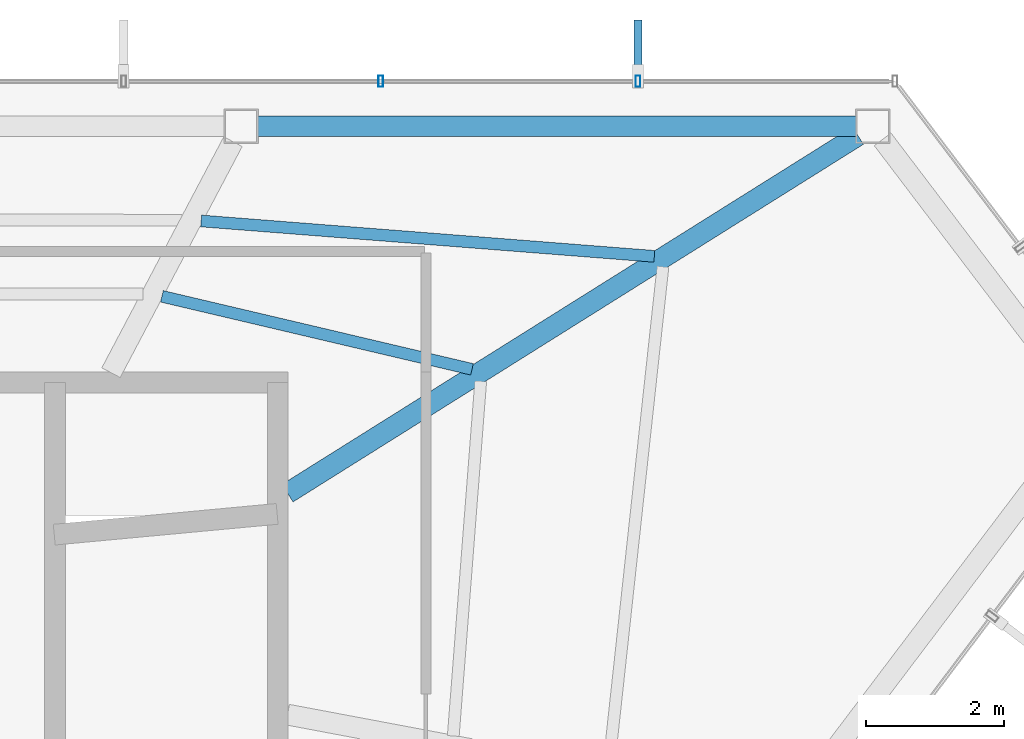
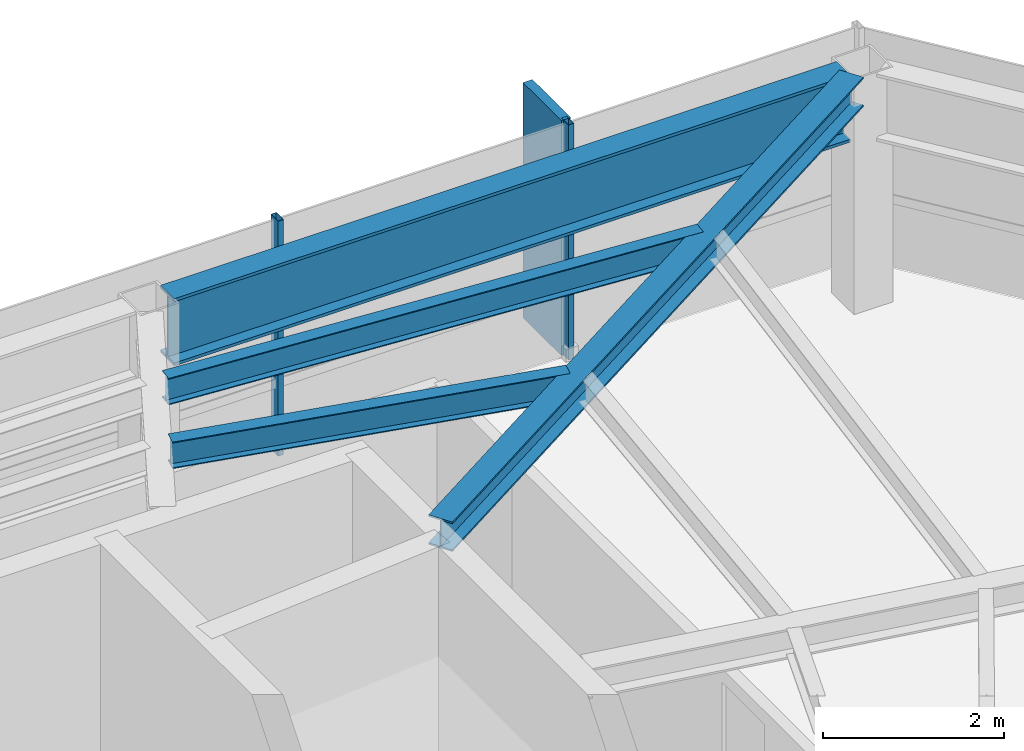
# One storey, part 18 of 24: 4 beams, 3 members, 1 element without a shape of its own.
"""IFC4 building model written with IfcOpenShell, lengths in metres."""

import ifcopenshell
import ifcopenshell.guid

model = None  # the IFC model being written
_history = None  # IfcOwnerHistory: only IFC2X3 demands one
_inside = {}  # id of a spatial element -> (the spatial element, [elements in it])
_under = {}  # id of a project, library or spatial element -> (it, [spatial elements below it])
_declared = {}  # id of a project -> (the project, [libraries it declares])
_typed = {}  # id of a type object -> (the type object, [elements of that type])
_made_of = {}  # id of a material, layer set ... -> (it, [elements and type objects made of it])


def new_model(schema):
    """Start an empty IFC model of exactly this schema.

    Asked for "IFC4X3", IfcOpenShell would pick the latest addendum, in which some entities
    have other attributes; the version numbers below select the first issue.
    IFC2X3 requires an IfcOwnerHistory on every rooted entity: one is made here for all.
    """
    global model, _history
    if schema == "IFC4X3":
        model = ifcopenshell.file(schema_version=(4, 3, 0, 0))
    else:
        model = ifcopenshell.file(schema=schema)
    _inside.clear()
    _under.clear()
    _declared.clear()
    _typed.clear()
    _made_of.clear()
    _history = None
    if model.schema == "IFC2X3":
        org = make("IfcOrganization", Name="unknown")
        user = make(
            "IfcPersonAndOrganization",
            ThePerson=make("IfcPerson", FamilyName="unknown"),
            TheOrganization=org,
        )
        app = make(
            "IfcApplication",
            ApplicationDeveloper=org,
            Version="unknown",
            ApplicationFullName="unknown",
            ApplicationIdentifier="unknown",
        )
        _history = make(
            "IfcOwnerHistory",
            OwningUser=user,
            OwningApplication=app,
            ChangeAction="ADDED",
            CreationDate=0,
        )
    return model


def make(cls, **values):
    """One entity of the class cls with the attributes given. An attribute that is None is left unset."""
    return model.create_entity(
        cls, **{name: value for name, value in values.items() if value is not None}
    )


def rooted(cls, **values):
    """An entity with a GlobalId (a new one), such as an element, a storey or a relation."""
    return make(cls, GlobalId=ifcopenshell.guid.new(), OwnerHistory=_history, **values)


def si_unit(unit_type, name, prefix=None):
    """IfcSIUnit, for example si_unit("LENGTHUNIT", "METRE", prefix="MILLI")."""
    return make("IfcSIUnit", UnitType=unit_type, Prefix=prefix, Name=name)


def assignment(units):
    """IfcUnitAssignment: the units of a project."""
    return None if units is None else make("IfcUnitAssignment", Units=units)


def point(xyz):
    """IfcCartesianPoint."""
    return None if xyz is None else make("IfcCartesianPoint", Coordinates=xyz)


def direction(xyz):
    """IfcDirection."""
    return None if xyz is None else make("IfcDirection", DirectionRatios=xyz)


def frame(location, z_axis=None, x_axis=None):
    """IfcAxis2Placement3D, a coordinate frame: its origin and axes. An axis left out is left unset."""
    return make(
        "IfcAxis2Placement3D",
        Location=point(location),
        Axis=direction(z_axis),
        RefDirection=direction(x_axis),
    )


def frame_2d(location, x_axis=None):
    """IfcAxis2Placement2D, a coordinate frame in the plane: its origin and x axis."""
    return make(
        "IfcAxis2Placement2D", Location=point(location), RefDirection=direction(x_axis)
    )


def origin():
    """The frame at (0, 0, 0) with its axes left unset."""
    return frame((0.0, 0.0, 0.0))


def origin_2d():
    """The frame at (0, 0) in the plane with its x axis left unset."""
    return frame_2d((0.0, 0.0))


def place(relative_to, where):
    """IfcLocalPlacement: puts the frame where relative to a parent placement (None: the world)."""
    return make(
        "IfcLocalPlacement", PlacementRelTo=relative_to, RelativePlacement=where
    )


def context(
    kind, dimensions, precision=None, world=None, true_north=None, identifier=None
):
    """IfcGeometricRepresentationContext, for example the 3D "Model" context."""
    return make(
        "IfcGeometricRepresentationContext",
        ContextIdentifier=identifier,
        ContextType=kind,
        CoordinateSpaceDimension=dimensions,
        Precision=precision,
        WorldCoordinateSystem=world,
        TrueNorth=true_north,
    )


def subcontext(parent, identifier, kind, view, scale=None):
    """IfcGeometricRepresentationSubContext, for example "Body" below "Model"."""
    return make(
        "IfcGeometricRepresentationSubContext",
        ContextIdentifier=identifier,
        ContextType=kind,
        ParentContext=parent,
        TargetScale=scale,
        TargetView=view,
    )


def project(units=None, contexts=None):
    """IfcProject with its units and contexts."""
    return rooted(
        "IfcProject",
        Name="project",
        RepresentationContexts=contexts,
        UnitsInContext=assignment(units),
    )


def spatial(cls, under=None, at=None, **own):
    """A site, building, storey or space (cls), placed at a placement, below another one or the project."""
    s = rooted(cls, ObjectPlacement=at, **own)
    if under is not None:
        _under.setdefault(under.id(), (under, []))[1].append(s)
    return s


def profile(cls, at=None, kind="AREA", **sizes):
    """A parametric profile (cls). Its sizes go by their IFC names, for example OverallWidth=200.0."""
    return make(cls, ProfileType=kind, Position=at, **sizes)


def rectangle(**sizes):
    """IfcRectangleProfileDef."""
    return profile("IfcRectangleProfileDef", **sizes)


def hollow_rectangle(**sizes):
    """IfcRectangleHollowProfileDef."""
    return profile("IfcRectangleHollowProfileDef", **sizes)


def i_section(**sizes):
    """IfcIShapeProfileDef."""
    return profile("IfcIShapeProfileDef", **sizes)


def extrude(swept, where, along, depth):
    """IfcExtrudedAreaSolid: the profile swept, set in the frame where, extruded along a direction by depth."""
    return make(
        "IfcExtrudedAreaSolid",
        SweptArea=swept,
        Position=where,
        ExtrudedDirection=direction(along),
        Depth=depth,
    )


def shape(context_of_items, identifier, shape_type, items):
    """IfcShapeRepresentation: the items that make up one representation, for example the "Body"."""
    return make(
        "IfcShapeRepresentation",
        ContextOfItems=context_of_items,
        RepresentationIdentifier=identifier,
        RepresentationType=shape_type,
        Items=items,
    )


def material(Name=None, Category=None):
    """IfcMaterial."""
    return make("IfcMaterial", Name=Name, Category=Category)


def layer(
    of_material, thickness, ventilated=None, Name=None, Category=None, Priority=None
):
    """IfcMaterialLayer: one layer of a wall or slab, of a material (None: an air gap)."""
    return make(
        "IfcMaterialLayer",
        Material=of_material,
        LayerThickness=thickness,
        IsVentilated=ventilated,
        Name=Name,
        Category=Category,
        Priority=Priority,
    )


def layer_set(layers, Name=None):
    """IfcMaterialLayerSet."""
    return make("IfcMaterialLayerSet", MaterialLayers=layers, LayerSetName=Name)


def material_profile(
    of_material, cross_section, Name=None, Category=None, Priority=None
):
    """IfcMaterialProfile: a cross section and its material."""
    return make(
        "IfcMaterialProfile",
        Name=Name,
        Material=of_material,
        Profile=cross_section,
        Priority=Priority,
        Category=Category,
    )


def profile_set(profiles, Name=None, composite=None):
    """IfcMaterialProfileSet."""
    return make(
        "IfcMaterialProfileSet",
        Name=Name,
        MaterialProfiles=profiles,
        CompositeProfile=composite,
    )


def made_of(thing, what):
    """Note that an element or type object is made of a material, layer set ...; save() writes the relation."""
    if what is not None:
        _made_of.setdefault(what.id(), (what, []))[1].append(thing)
    return thing


def type_object(cls, material=None, **own):
    """A type object (cls), such as IfcWallType, which elements share."""
    return made_of(rooted(cls, **own), material)


def element(
    cls,
    number,
    at=None,
    inside=None,
    cuts=None,
    type_object=None,
    material=None,
    context=None,
    identifier="Body",
    shape_type=None,
    held_by="IfcProductDefinitionShape",
    body=None,
    shapes=None,
    **own,
):
    """One element of the class cls, such as IfcWall. Its Tag is "e" and its number.

    at: its placement. inside: the storey or other place that contains it. cuts: it is an
    opening in that element (IfcRelVoidsElement). A single representation is given by context,
    identifier, shape_type and body (its items); several are given by shapes. held_by: the class
    of the entity that holds the representations. save() writes the other relations.
    """
    e = rooted(cls, Tag="e%d" % number, ObjectPlacement=at, **own)
    if body is not None:
        shapes = [shape(context, identifier, shape_type, body)]
    if shapes is not None:
        e.Representation = make(held_by, Representations=shapes)
    if inside is not None:
        _inside.setdefault(inside.id(), (inside, []))[1].append(e)
    if cuts is not None:
        rooted(
            "IfcRelVoidsElement", RelatingBuildingElement=cuts, RelatedOpeningElement=e
        )
    if type_object is not None:
        _typed.setdefault(type_object.id(), (type_object, []))[1].append(e)
    return made_of(e, material)


def aggregate(whole, parts):
    """IfcRelAggregates: a whole, such as a stair, and the parts it consists of."""
    return rooted("IfcRelAggregates", RelatingObject=whole, RelatedObjects=parts)


def save(model, path):
    """Write the relations noted so far, then the file.

    IfcRelAggregates (storeys below a building ...), IfcRelContainedInSpatialStructure (elements
    in a storey), IfcRelDefinesByType, IfcRelAssociatesMaterial and IfcRelDeclares: one each for
    every whole, place, type object, material and project.
    """
    for whole, parts in _under.values():
        aggregate(whole, parts)
    for where, things in _inside.values():
        rooted(
            "IfcRelContainedInSpatialStructure",
            RelatedElements=things,
            RelatingStructure=where,
        )
    for kind, things in _typed.values():
        rooted("IfcRelDefinesByType", RelatedObjects=things, RelatingType=kind)
    for what, things in _made_of.values():
        rooted("IfcRelAssociatesMaterial", RelatedObjects=things, RelatingMaterial=what)
    for by, libraries in _declared.values():
        rooted("IfcRelDeclares", RelatingContext=by, RelatedDefinitions=libraries)
    model.write(path)


model = new_model("IFC4")

# Units and contexts
model_context = context("Model", 3, precision=1e-05, world=origin(), true_north=direction((0.0, 1.0)))
body_context = subcontext(model_context, "Body", "Model", "MODEL_VIEW")
ifc_project = project(units=[si_unit("LENGTHUNIT", "METRE"), si_unit("AREAUNIT", "SQUARE_METRE"), si_unit("VOLUMEUNIT", "CUBIC_METRE"), si_unit("PLANEANGLEUNIT", "RADIAN"), si_unit("MASSUNIT", "GRAM", prefix="KILO")], contexts=[model_context])

# Site, building, storey
site_placement = place(None, origin())
site = spatial("IfcSite", under=ifc_project, at=site_placement, CompositionType="ELEMENT")
building_placement = place(site_placement, origin())
building = spatial("IfcBuilding", under=site, at=building_placement, Name="Zarrinselat Tower", CompositionType="ELEMENT")
storey_placement = place(building_placement, frame((0.0, 0.0, 268.60009765625)))
storey = spatial("IfcBuildingStorey", under=building, at=storey_placement, Name="L68", CompositionType="ELEMENT", Elevation=268.60009765625)

# Beams
ifc_material_1 = material(Name="Steel S355J2", Category="steel")
ifc_material_profile_1 = material_profile(ifc_material_1, i_section(OverallWidth=0.300048828125, OverallDepth=0.39990234375, WebThickness=0.013427734375, FlangeThickness=0.02392578125, at=origin_2d()), Name="HEB 400")
ifc_profile_set_1 = profile_set([ifc_material_profile_1], Name="Steel S355J2")
beam_type_1 = type_object("IfcBeamType", Name="BM-HEB400", PredefinedType="BEAM", material=ifc_profile_set_1)
beam_1_placement = place(storey_placement, frame((48.35009765625, 41.800048828125, 2.97998046875), z_axis=(0.847257074066, 0.53118306679, 0.0), x_axis=(-0.53118306679, 0.847257074066, 0.0)))
element("IfcBeam", 1, at=beam_1_placement, inside=storey, type_object=beam_type_1, Name="L68 Radial Primary Girder RG01", PredefinedType="BEAM", context=body_context, shape_type="SweptSolid", body=[
    extrude(i_section(OverallWidth=0.300048828125, OverallDepth=0.39990234375, WebThickness=0.013427734375, FlangeThickness=0.02392578125, at=origin_2d()), origin(), (0.0, 0.0, 1.0), 9.7255859375),
])
ifc_material_2 = material(Name="Steel S460M", Category="steel")
ifc_material_profile_2 = material_profile(ifc_material_2, i_section(OverallWidth=0.302001953125, OverallDepth=0.909912109375, WebThickness=0.02099609375, FlangeThickness=0.0400390625, at=origin_2d()), Name="HEM 900")
ifc_profile_set_2 = profile_set([ifc_material_profile_2], Name="Steel S460M")
beam_type_2 = type_object("IfcBeamType", Name="BM-HEM900", PredefinedType="BEAM", material=ifc_profile_set_2)
beam_2_placement = place(storey_placement, frame((47.91748046875, 47.10009765625, 2.724853515625), z_axis=(1.0, 0.0, 0.0), x_axis=(0.0, 1.0, 0.0)))
element("IfcBeam", 2, at=beam_2_placement, inside=storey, type_object=beam_type_2, Name="L68 Perimeter Spandrel Girder SP01", PredefinedType="BEAM", context=body_context, shape_type="SweptSolid", body=[
    extrude(i_section(OverallWidth=0.302001953125, OverallDepth=0.909912109375, WebThickness=0.02099609375, FlangeThickness=0.0400390625, at=origin_2d()), origin(), (0.0, 0.0, 1.0), 8.648193359375),
])
ifc_material_3 = material(Name="Steel S355J2", Category="steel")
ifc_material_profile_3 = material_profile(ifc_material_3, i_section(OverallWidth=0.169921875, OverallDepth=0.360107421875, WebThickness=0.008056640625, FlangeThickness=0.0126953125, at=origin_2d()), Name="IPE 360")
ifc_profile_set_3 = profile_set([ifc_material_profile_3], Name="Steel S355J2")
beam_type_3 = type_object("IfcBeamType", Name="BM-IPE360", PredefinedType="JOIST", material=ifc_profile_set_3)
beam_3_placement = place(storey_placement, frame((47.102294921875, 45.731689453125, 3.0), z_axis=(0.996964802236, -0.077853600443, 0.0), x_axis=(0.077853600443, 0.996964802236, 0.0)))
element("IfcBeam", 3, at=beam_3_placement, inside=storey, type_object=beam_type_3, Name="L68 Composite Floor Joist 6-1", PredefinedType="JOIST", context=body_context, shape_type="SweptSolid", body=[
    extrude(i_section(OverallWidth=0.169921875, OverallDepth=0.360107421875, WebThickness=0.008056640625, FlangeThickness=0.0126953125, at=origin_2d()), origin(), (0.0, 0.0, 1.0), 6.566650390625),
])
beam_4_placement = place(storey_placement, frame((46.535400390625, 44.642578125, 3.0), z_axis=(0.973412993979, -0.229057074006, 0.0), x_axis=(0.229057074006, 0.973412993979, 0.0)))
element("IfcBeam", 4, at=beam_4_placement, inside=storey, type_object=beam_type_3, Name="L68 Composite Floor Joist 6-2", PredefinedType="JOIST", context=body_context, shape_type="SweptSolid", body=[
    extrude(i_section(OverallWidth=0.169921875, OverallDepth=0.360107421875, WebThickness=0.008056640625, FlangeThickness=0.0126953125, at=origin_2d()), origin(), (0.0, 0.0, 1.0), 4.602294921875),
])

# Curtain wall, members
ifc_material_4 = material(Name="Extruded Aluminium Alloy EN AW-6063 T6", Category="aluminium")
ifc_layer = layer(ifc_material_4, 0.169921875)
ifc_layer_set = layer_set([ifc_layer], Name="Extruded Aluminium Alloy EN AW-6063 T6")
curtain_wall_type = type_object("IfcCurtainWallType", Name="CWS-RES", PredefinedType="NOTDEFINED", material=ifc_layer_set)
curtain_wall_placement = place(storey_placement, origin())
curtain_wall = element("IfcCurtainWall", 5, at=curtain_wall_placement, inside=storey, type_object=curtain_wall_type, Name="L68 Unitised Curtain Wall CW-L68-E01", PredefinedType="NOTDEFINED")
ifc_material_5 = material(Name="Extruded Aluminium Alloy EN AW-6063 T6", Category="aluminium")
ifc_material_profile_4 = material_profile(ifc_material_5, hollow_rectangle(XDim=0.070068359375, YDim=0.159912109375, WallThickness=0.00390625, at=origin_2d()), Name="RHS 160x70x4")
ifc_profile_set_4 = profile_set([ifc_material_profile_4], Name="Extruded Aluminium Alloy EN AW-6063 T6")
member_type_1 = type_object("IfcMemberType", Name="MEM-CW-MUL2", PredefinedType="MULLION", material=ifc_profile_set_4)
member_1_placement = place(storey_placement, frame((53.412109375, 47.75, 0.0), z_axis=(0.0, 0.0, 1.0), x_axis=(-1.0, 0.0, 0.0)))
member_1 = element("IfcMember", 6, at=member_1_placement, type_object=member_type_1, Name="CW-L68-E01 Mullion 1", PredefinedType="MULLION", context=body_context, shape_type="SweptSolid", body=[
    extrude(hollow_rectangle(XDim=0.070068359375, YDim=0.159912109375, WallThickness=0.00390625, at=origin_2d()), origin(), (0.0, 0.0, 1.0), 3.179931640625),
])
member_2_placement = place(storey_placement, frame((49.69775390625, 47.75, 0.0), z_axis=(0.0, 0.0, 1.0), x_axis=(-1.0, 0.0, 0.0)))
member_2 = element("IfcMember", 7, at=member_2_placement, type_object=member_type_1, Name="CW-L68-E01 Mullion 2", PredefinedType="MULLION", context=body_context, shape_type="SweptSolid", body=[
    extrude(hollow_rectangle(XDim=0.070068359375, YDim=0.159912109375, WallThickness=0.00390625, at=origin_2d()), origin(), (0.0, 0.0, 1.0), 3.179931640625),
])
ifc_material_6 = material(Name="Honed Cream Travertine Stone", Category="masonry")
ifc_material_profile_5 = material_profile(ifc_material_6, rectangle(XDim=0.1201171875, YDim=0.85009765625, at=origin_2d()), Name="FIN 850x120")
ifc_profile_set_5 = profile_set([ifc_material_profile_5], Name="Honed Cream Travertine Stone")
member_type_2 = type_object("IfcMemberType", Name="MEM-STONE-FIN", PredefinedType="USERDEFINED", material=ifc_profile_set_5)
member_3_placement = place(storey_placement, frame((53.412109375, 48.2099609375, 0.0), z_axis=(0.0, 0.0, 1.0), x_axis=(1.0, 0.0, 0.0)))
member_3 = element("IfcMember", 8, at=member_3_placement, type_object=member_type_2, Name="L68 Stone Shading Fin CW-L68-E01-01", ObjectType="FIN", PredefinedType="USERDEFINED", context=body_context, shape_type="SweptSolid", body=[
    extrude(rectangle(XDim=0.1201171875, YDim=0.85009765625, at=origin_2d()), origin(), (0.0, 0.0, 1.0), 3.179931640625),
])
aggregate(curtain_wall, [member_1, member_3, member_2])

save(model, "model.ifc")
